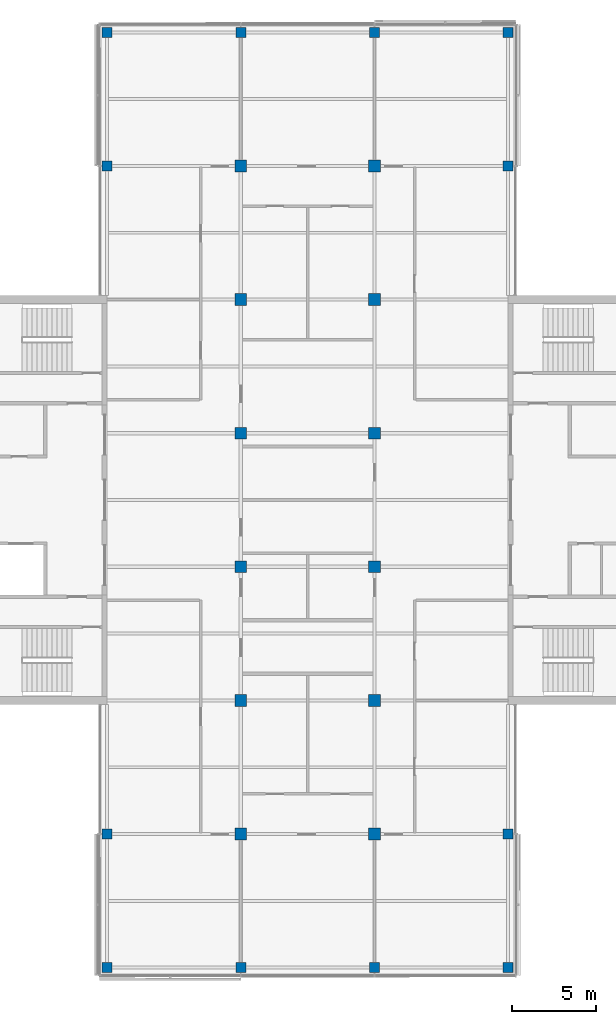
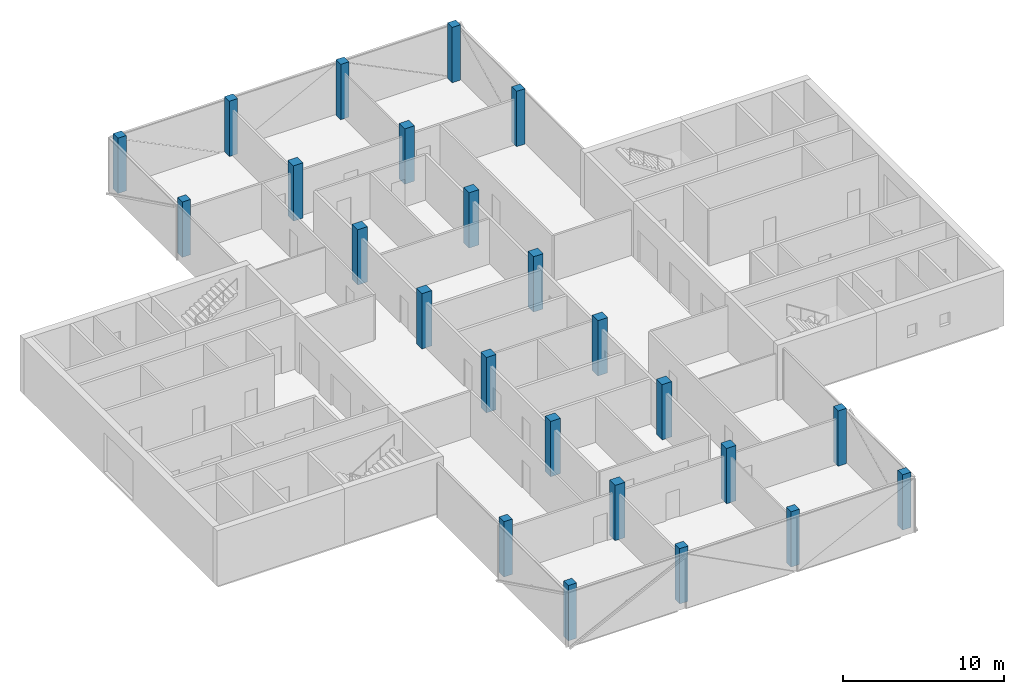
# One storey, part 1 of 16: 24 columns.
"""IFC4 building model written with IfcOpenShell, lengths in metres."""

from ifc_helpers import new_model, si_unit, direction, frame, origin, origin_2d, place, context, subcontext, project, spatial, rectangle, extrude, material, material_profile, profile_set, type_object, element, save


model = new_model("IFC4")

# Units and contexts
model_context = context("Model", 3, precision=1e-05, world=origin(), true_north=direction((0.0, 1.0)))
body_context = subcontext(model_context, "Body", "Model", "MODEL_VIEW")
ifc_project = project(units=[si_unit("LENGTHUNIT", "METRE"), si_unit("AREAUNIT", "SQUARE_METRE"), si_unit("VOLUMEUNIT", "CUBIC_METRE"), si_unit("PLANEANGLEUNIT", "RADIAN"), si_unit("MASSUNIT", "GRAM", prefix="KILO")], contexts=[model_context])

# Site, building, storey
site_placement = place(None, origin())
site = spatial("IfcSite", under=ifc_project, at=site_placement, CompositionType="ELEMENT")
building_placement = place(site_placement, origin())
building = spatial("IfcBuilding", under=site, at=building_placement, Name="Crosswind Convention Tower", CompositionType="ELEMENT")
storey_placement = place(building_placement, frame((0.0, 0.0, 253.5)))
storey = spatial("IfcBuildingStorey", under=building, at=storey_placement, Name="L54", CompositionType="ELEMENT", Elevation=253.5)

# Columns
ifc_material = material(Name="Concrete C60/75", Category="concrete")
ifc_material_profile_1 = material_profile(ifc_material, rectangle(XDim=0.60009765625, YDim=0.60009765625, at=origin_2d()), Name="RC 600X600")
ifc_profile_set_1 = profile_set([ifc_material_profile_1], Name="Concrete C60/75")
column_type_1 = type_object("IfcColumnType", Name="Column RC 600X600", PredefinedType="COLUMN", material=ifc_profile_set_1)
for number, where, z_axis, x_axis, name in (
    (1, (113.0, 72.0, 0.0), (0.0, 0.0, 1.0), (1.0, 0.0, 0.0), "C16 L54 5/C"),
    (2, (113.0, 80.0, 0.0), (0.0, 0.0, 1.0), (1.0, 0.0, 0.0), "C16 L54 5/D"),
    (3, (113.0, 120.0, 0.0), (0.0, 0.0, 1.0), (1.0, 0.0, 0.0), "C16 L54 5/I"),
    (4, (113.0, 128.0, 0.0), (0.0, 0.0, 1.0), (1.0, 0.0, 0.0), "C16 L54 5/J"),
    (5, (121.0, 72.0, 0.0), (0.0, 0.0, 1.0), (1.0, 0.0, 0.0), "C16 L54 6/C"),
    (6, (121.0, 128.0, 0.0), (0.0, 0.0, 1.0), (1.0, 0.0, 0.0), "C16 L54 6/J"),
    (7, (129.0, 72.0, 0.0), (0.0, 0.0, 1.0), (1.0, 0.0, 0.0), "C16 L54 7/C"),
    (8, (129.0, 128.0, 0.0), (0.0, 0.0, 1.0), (1.0, 0.0, 0.0), "C16 L54 7/J"),
    (9, (137.0, 72.0, 0.0), (0.0, 0.0, 1.0), (1.0, 0.0, 0.0), "C16 L54 8/C"),
    (10, (137.0, 80.0, 0.0), (0.0, 0.0, 1.0), (1.0, 0.0, 0.0), "C16 L54 8/D"),
    (11, (137.0, 120.0, 0.0), (0.0, 0.0, 1.0), (1.0, 0.0, 0.0), "C16 L54 8/I"),
    (12, (137.0, 128.0, 0.0), (0.0, 0.0, 1.0), (1.0, 0.0, 0.0), "C16 L54 8/J"),
):
    element("IfcColumn", number, at=place(storey_placement, frame(where, z_axis=z_axis, x_axis=x_axis)), inside=storey, type_object=column_type_1, Name=name, PredefinedType="COLUMN", context=body_context, shape_type="SweptSolid", body=[
        extrude(rectangle(XDim=0.60009765625, YDim=0.60009765625, at=origin_2d()), origin(), (0.0, 0.0, 1.0), 4.199951171875),
    ])
ifc_material_profile_2 = material_profile(ifc_material, rectangle(XDim=0.699951171875, YDim=0.699951171875, at=origin_2d()), Name="RC 700X700")
ifc_profile_set_2 = profile_set([ifc_material_profile_2], Name="Concrete C60/75")
column_type_2 = type_object("IfcColumnType", Name="Column RC 700X700", PredefinedType="COLUMN", material=ifc_profile_set_2)
for number, where, z_axis, x_axis, name in (
    (13, (121.0, 80.0, 0.0), (0.0, 0.0, 1.0), (1.0, 0.0, 0.0), "C15 L54 6/D"),
    (14, (121.0, 88.0, 0.0), (0.0, 0.0, 1.0), (1.0, 0.0, 0.0), "C15 L54 6/E"),
    (15, (121.0, 96.0, 0.0), (0.0, 0.0, 1.0), (1.0, 0.0, 0.0), "C15 L54 6/F"),
    (16, (121.0, 104.0, 0.0), (0.0, 0.0, 1.0), (1.0, 0.0, 0.0), "C15 L54 6/G"),
    (17, (121.0, 112.0, 0.0), (0.0, 0.0, 1.0), (1.0, 0.0, 0.0), "C15 L54 6/H"),
    (18, (121.0, 120.0, 0.0), (0.0, 0.0, 1.0), (1.0, 0.0, 0.0), "C15 L54 6/I"),
    (19, (129.0, 80.0, 0.0), (0.0, 0.0, 1.0), (1.0, 0.0, 0.0), "C15 L54 7/D"),
    (20, (129.0, 88.0, 0.0), (0.0, 0.0, 1.0), (1.0, 0.0, 0.0), "C15 L54 7/E"),
    (21, (129.0, 96.0, 0.0), (0.0, 0.0, 1.0), (1.0, 0.0, 0.0), "C15 L54 7/F"),
    (22, (129.0, 104.0, 0.0), (0.0, 0.0, 1.0), (1.0, 0.0, 0.0), "C15 L54 7/G"),
    (23, (129.0, 112.0, 0.0), (0.0, 0.0, 1.0), (1.0, 0.0, 0.0), "C15 L54 7/H"),
    (24, (129.0, 120.0, 0.0), (0.0, 0.0, 1.0), (1.0, 0.0, 0.0), "C15 L54 7/I"),
):
    element("IfcColumn", number, at=place(storey_placement, frame(where, z_axis=z_axis, x_axis=x_axis)), inside=storey, type_object=column_type_2, Name=name, PredefinedType="COLUMN", context=body_context, shape_type="SweptSolid", body=[
        extrude(rectangle(XDim=0.699951171875, YDim=0.699951171875, at=origin_2d()), origin(), (0.0, 0.0, 1.0), 4.199951171875),
    ])

save(model, "model.ifc")
